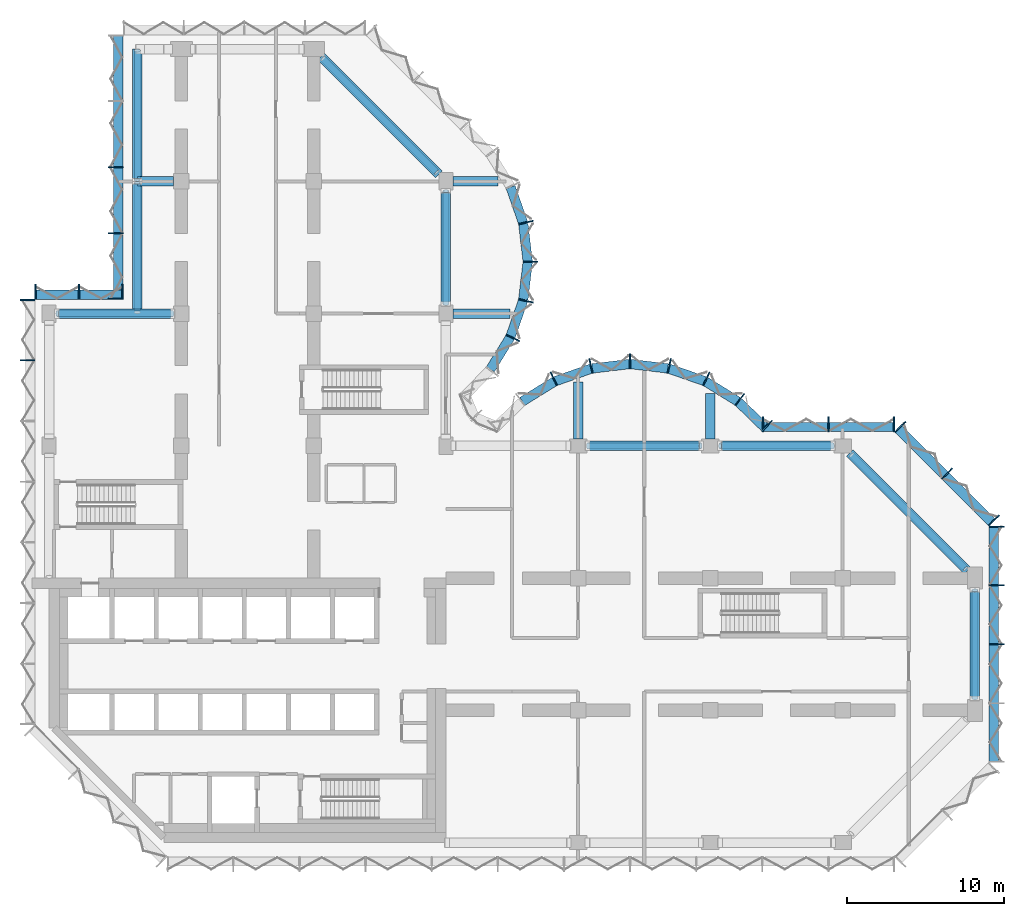
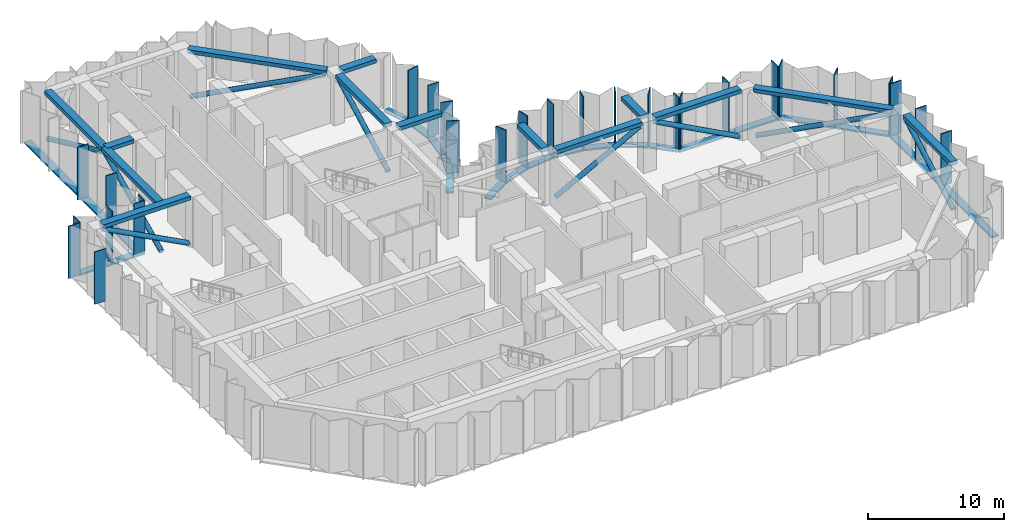
# One storey, part 2 of 13: 54 members, 14 beams, 8 elements without a shape of their own.
"""IFC4 building model written with IfcOpenShell, lengths in metres."""

from ifc_helpers import new_model, si_unit, direction, frame, origin, origin_2d, place, context, subcontext, project, spatial, rectangle, hollow_circle, extrude, material, material_profile, profile_set, type_object, element, aggregate, save


model = new_model("IFC4")

# Units and contexts
model_context = context("Model", 3, precision=1e-05, world=origin(), true_north=direction((0.0, 1.0)))
body_context = subcontext(model_context, "Body", "Model", "MODEL_VIEW")
ifc_project = project(units=[si_unit("LENGTHUNIT", "METRE"), si_unit("AREAUNIT", "SQUARE_METRE"), si_unit("VOLUMEUNIT", "CUBIC_METRE"), si_unit("PLANEANGLEUNIT", "RADIAN"), si_unit("MASSUNIT", "GRAM", prefix="KILO")], contexts=[model_context])

# Site, building, storey
site_placement = place(None, origin())
site = spatial("IfcSite", under=ifc_project, at=site_placement, CompositionType="ELEMENT")
building_placement = place(site_placement, origin())
building = spatial("IfcBuilding", under=site, at=building_placement, Name="Brevane Broadcast Tower", CompositionType="ELEMENT")
storey_placement = place(building_placement, frame((0.0, 0.0, 162.0)))
storey = spatial("IfcBuildingStorey", under=building, at=storey_placement, Name="L40", CompositionType="ELEMENT", Elevation=162.0)

# Curtain wall, members
ifc_material_1 = material(Name="Aluminium 6063-T6 bronze anodised", Category="aluminium")
curtain_wall_type = type_object("IfcCurtainWallType", Name="CW-3 curtain wall", PredefinedType="NOTDEFINED", material=ifc_material_1)
curtain_wall_1_placement = place(storey_placement, origin())
curtain_wall_1 = element("IfcCurtainWall", 1, at=curtain_wall_1_placement, inside=storey, type_object=curtain_wall_type, Name="CW-3 refuge louvre unit L40 east end", PredefinedType="NOTDEFINED")
ifc_material_profile_1 = material_profile(ifc_material_1, rectangle(XDim=0.949951171875, YDim=0.080078125, at=origin_2d()), Name="RECT 80x950")
ifc_profile_set_1 = profile_set([ifc_material_profile_1], Name="Aluminium 6063-T6 bronze anodised")
member_type_1 = type_object("IfcMemberType", Name="CW-3 mullion 80x950", PredefinedType="MULLION", material=ifc_profile_set_1)
member_1_placement = place(storey_placement, frame((60.175048828125, 12.60009765625, -0.159912109375), z_axis=(0.0, 0.0, 1.0), x_axis=(-1.0, 0.0, 0.0)))
member_1 = element("IfcMember", 2, at=member_1_placement, type_object=member_type_1, Name="CW-3 mullion", PredefinedType="MULLION", context=body_context, shape_type="SweptSolid", body=[
    extrude(rectangle(XDim=0.949951171875, YDim=0.080078125, at=origin_2d()), origin(), (0.0, 0.0, 1.0), 4.7099609375),
])
member_2_placement = place(storey_placement, frame((60.175048828125, 16.35009765625, -0.159912109375), z_axis=(0.0, 0.0, 1.0), x_axis=(-1.0, 0.0, 0.0)))
member_2 = element("IfcMember", 3, at=member_2_placement, type_object=member_type_1, Name="CW-3 mullion", PredefinedType="MULLION", context=body_context, shape_type="SweptSolid", body=[
    extrude(rectangle(XDim=0.949951171875, YDim=0.080078125, at=origin_2d()), origin(), (0.0, 0.0, 1.0), 4.7099609375),
])
member_3_placement = place(storey_placement, frame((60.175048828125, 20.06005859375, -0.159912109375), z_axis=(0.0, 0.0, 1.0), x_axis=(-1.0, 0.0, 0.0)))
member_3 = element("IfcMember", 4, at=member_3_placement, type_object=member_type_1, Name="CW-3 mullion", PredefinedType="MULLION", context=body_context, shape_type="SweptSolid", body=[
    extrude(rectangle(XDim=0.949951171875, YDim=0.080078125, at=origin_2d()), origin(), (0.0, 0.0, 1.0), 4.7099609375),
])

curtain_wall_2_placement = place(storey_placement, origin())
curtain_wall_2 = element("IfcCurtainWall", 5, at=curtain_wall_2_placement, inside=storey, type_object=curtain_wall_type, Name="CW-3 refuge louvre unit L40 north-east chamfer", PredefinedType="NOTDEFINED")
member_4_placement = place(storey_placement, frame((60.007568359375, 20.464111328125, -0.159912109375), z_axis=(0.0, 0.0, 1.0), x_axis=(-0.707106781187, -0.707106781187, 0.0)))
member_4 = element("IfcMember", 6, at=member_4_placement, type_object=member_type_1, Name="CW-3 mullion", PredefinedType="MULLION", context=body_context, shape_type="SweptSolid", body=[
    extrude(rectangle(XDim=0.949951171875, YDim=0.080078125, at=origin_2d()), origin(), (0.0, 0.0, 1.0), 4.7099609375),
])
member_5_placement = place(storey_placement, frame((57.035888671875, 23.435791015625, -0.159912109375), z_axis=(0.0, 0.0, 1.0), x_axis=(-0.707106781187, -0.707106781187, 0.0)))
member_5 = element("IfcMember", 7, at=member_5_placement, type_object=member_type_1, Name="CW-3 mullion", PredefinedType="MULLION", context=body_context, shape_type="SweptSolid", body=[
    extrude(rectangle(XDim=0.949951171875, YDim=0.080078125, at=origin_2d()), origin(), (0.0, 0.0, 1.0), 4.7099609375),
])
member_6_placement = place(storey_placement, frame((54.064208984375, 26.407470703125, -0.159912109375), z_axis=(0.0, 0.0, 1.0), x_axis=(-0.707106781187, -0.707106781187, 0.0)))
member_6 = element("IfcMember", 8, at=member_6_placement, type_object=member_type_1, Name="CW-3 mullion", PredefinedType="MULLION", context=body_context, shape_type="SweptSolid", body=[
    extrude(rectangle(XDim=0.949951171875, YDim=0.080078125, at=origin_2d()), origin(), (0.0, 0.0, 1.0), 4.7099609375),
])

curtain_wall_3_placement = place(storey_placement, origin())
curtain_wall_3 = element("IfcCurtainWall", 9, at=curtain_wall_3_placement, inside=storey, type_object=curtain_wall_type, Name="CW-3 refuge louvre unit L40 east arm north face", PredefinedType="NOTDEFINED")
member_7_placement = place(storey_placement, frame((53.659912109375, 26.574951171875, -0.159912109375), z_axis=(0.0, 0.0, 1.0), x_axis=(0.0, -1.0, 0.0)))
member_7 = element("IfcMember", 10, at=member_7_placement, type_object=member_type_1, Name="CW-3 mullion", PredefinedType="MULLION", context=body_context, shape_type="SweptSolid", body=[
    extrude(rectangle(XDim=0.949951171875, YDim=0.080078125, at=origin_2d()), origin(), (0.0, 0.0, 1.0), 4.7099609375),
])
member_8_placement = place(storey_placement, frame((49.5, 26.574951171875, -0.159912109375), z_axis=(0.0, 0.0, 1.0), x_axis=(0.0, -1.0, 0.0)))
member_8 = element("IfcMember", 11, at=member_8_placement, type_object=member_type_1, Name="CW-3 mullion", PredefinedType="MULLION", context=body_context, shape_type="SweptSolid", body=[
    extrude(rectangle(XDim=0.949951171875, YDim=0.080078125, at=origin_2d()), origin(), (0.0, 0.0, 1.0), 4.7099609375),
])
member_9_placement = place(storey_placement, frame((45.340087890625, 26.574951171875, -0.159912109375), z_axis=(0.0, 0.0, 1.0), x_axis=(0.0, -1.0, 0.0)))
member_9 = element("IfcMember", 12, at=member_9_placement, type_object=member_type_1, Name="CW-3 mullion", PredefinedType="MULLION", context=body_context, shape_type="SweptSolid", body=[
    extrude(rectangle(XDim=0.949951171875, YDim=0.080078125, at=origin_2d()), origin(), (0.0, 0.0, 1.0), 4.7099609375),
])

curtain_wall_4_placement = place(storey_placement, origin())
curtain_wall_4 = element("IfcCurtainWall", 13, at=curtain_wall_4_placement, inside=storey, type_object=curtain_wall_type, Name="CW-3 refuge louvre unit L40 east bow", PredefinedType="NOTDEFINED")
member_10_placement = place(storey_placement, frame((45.602294921875, 26.468505859375, -0.159912109375), z_axis=(0.0, 0.0, 1.0), x_axis=(-0.696812089895, -0.717253728729, 0.0)))
member_10 = element("IfcMember", 14, at=member_10_placement, type_object=member_type_1, Name="CW-3 mullion", PredefinedType="MULLION", context=body_context, shape_type="SweptSolid", body=[
    extrude(rectangle(XDim=0.949951171875, YDim=0.080078125, at=origin_2d()), origin(), (0.0, 0.0, 1.0), 4.7099609375),
])
member_11_placement = place(storey_placement, frame((43.8720703125, 28.1455078125, -0.159912109375), z_axis=(0.0, 0.0, 1.0), x_axis=(-0.614769698862, -0.788706673841, 0.0)))
member_11 = element("IfcMember", 15, at=member_11_placement, type_object=member_type_1, Name="CW-3 mullion", PredefinedType="MULLION", context=body_context, shape_type="SweptSolid", body=[
    extrude(rectangle(XDim=0.949951171875, YDim=0.080078125, at=origin_2d()), origin(), (0.0, 0.0, 1.0), 4.7099609375),
])
member_12_placement = place(storey_placement, frame((41.746826171875, 29.4580078125, -0.159912109375), z_axis=(0.0, 0.0, 1.0), x_axis=(-0.429933580394, -0.902860518823, 0.0)))
member_12 = element("IfcMember", 16, at=member_12_placement, type_object=member_type_1, Name="CW-3 mullion", PredefinedType="MULLION", context=body_context, shape_type="SweptSolid", body=[
    extrude(rectangle(XDim=0.949951171875, YDim=0.080078125, at=origin_2d()), origin(), (0.0, 0.0, 1.0), 4.7099609375),
])
member_13_placement = place(storey_placement, frame((39.38818359375, 30.28076171875, -0.159912109375), z_axis=(0.0, 0.0, 1.0), x_axis=(-0.224806535479, -0.974403418306, 0.0)))
member_13 = element("IfcMember", 17, at=member_13_placement, type_object=member_type_1, Name="CW-3 mullion", PredefinedType="MULLION", context=body_context, shape_type="SweptSolid", body=[
    extrude(rectangle(XDim=0.949951171875, YDim=0.080078125, at=origin_2d()), origin(), (0.0, 0.0, 1.0), 4.7099609375),
])
member_14_placement = place(storey_placement, frame((36.89990234375, 30.574951171875, -0.159912109375), z_axis=(0.0, 0.0, 1.0), x_axis=(0.0, -1.0, 0.0)))
member_14 = element("IfcMember", 18, at=member_14_placement, type_object=member_type_1, Name="CW-3 mullion", PredefinedType="MULLION", context=body_context, shape_type="SweptSolid", body=[
    extrude(rectangle(XDim=0.949951171875, YDim=0.080078125, at=origin_2d()), origin(), (0.0, 0.0, 1.0), 4.7099609375),
])
member_15_placement = place(storey_placement, frame((34.411865234375, 30.28076171875, -0.159912109375), z_axis=(0.0, 0.0, 1.0), x_axis=(0.224806535479, -0.974403418306, 0.0)))
member_15 = element("IfcMember", 19, at=member_15_placement, type_object=member_type_1, Name="CW-3 mullion", PredefinedType="MULLION", context=body_context, shape_type="SweptSolid", body=[
    extrude(rectangle(XDim=0.949951171875, YDim=0.080078125, at=origin_2d()), origin(), (0.0, 0.0, 1.0), 4.7099609375),
])
member_16_placement = place(storey_placement, frame((32.05322265625, 29.4580078125, -0.159912109375), z_axis=(0.0, 0.0, 1.0), x_axis=(0.429933580394, -0.902860518823, 0.0)))
member_16 = element("IfcMember", 20, at=member_16_placement, type_object=member_type_1, Name="CW-3 mullion", PredefinedType="MULLION", context=body_context, shape_type="SweptSolid", body=[
    extrude(rectangle(XDim=0.949951171875, YDim=0.080078125, at=origin_2d()), origin(), (0.0, 0.0, 1.0), 4.7099609375),
])

curtain_wall_5_placement = place(storey_placement, origin())
curtain_wall_5 = element("IfcCurtainWall", 21, at=curtain_wall_5_placement, inside=storey, type_object=curtain_wall_type, Name="CW-3 refuge louvre unit L40 north bow", PredefinedType="NOTDEFINED")
member_17_placement = place(storey_placement, frame((29.4580078125, 32.05322265625, -0.159912109375), z_axis=(0.0, 0.0, 1.0), x_axis=(-0.902860518823, 0.429933580394, 0.0)))
member_17 = element("IfcMember", 22, at=member_17_placement, type_object=member_type_1, Name="CW-3 mullion", PredefinedType="MULLION", context=body_context, shape_type="SweptSolid", body=[
    extrude(rectangle(XDim=0.949951171875, YDim=0.080078125, at=origin_2d()), origin(), (0.0, 0.0, 1.0), 4.7099609375),
])
member_18_placement = place(storey_placement, frame((30.28076171875, 34.411865234375, -0.159912109375), z_axis=(0.0, 0.0, 1.0), x_axis=(-0.974403418306, 0.224806535479, 0.0)))
member_18 = element("IfcMember", 23, at=member_18_placement, type_object=member_type_1, Name="CW-3 mullion", PredefinedType="MULLION", context=body_context, shape_type="SweptSolid", body=[
    extrude(rectangle(XDim=0.949951171875, YDim=0.080078125, at=origin_2d()), origin(), (0.0, 0.0, 1.0), 4.7099609375),
])
member_19_placement = place(storey_placement, frame((30.574951171875, 36.89990234375, -0.159912109375), z_axis=(0.0, 0.0, 1.0), x_axis=(-1.0, 0.0, 0.0)))
member_19 = element("IfcMember", 24, at=member_19_placement, type_object=member_type_1, Name="CW-3 mullion", PredefinedType="MULLION", context=body_context, shape_type="SweptSolid", body=[
    extrude(rectangle(XDim=0.949951171875, YDim=0.080078125, at=origin_2d()), origin(), (0.0, 0.0, 1.0), 4.7099609375),
])
member_20_placement = place(storey_placement, frame((30.28076171875, 39.38818359375, -0.159912109375), z_axis=(0.0, 0.0, 1.0), x_axis=(-0.974403418306, -0.224806535479, 0.0)))
member_20 = element("IfcMember", 25, at=member_20_placement, type_object=member_type_1, Name="CW-3 mullion", PredefinedType="MULLION", context=body_context, shape_type="SweptSolid", body=[
    extrude(rectangle(XDim=0.949951171875, YDim=0.080078125, at=origin_2d()), origin(), (0.0, 0.0, 1.0), 4.7099609375),
])

curtain_wall_6_placement = place(storey_placement, origin())
curtain_wall_6 = element("IfcCurtainWall", 26, at=curtain_wall_6_placement, inside=storey, type_object=curtain_wall_type, Name="CW-3 refuge louvre unit L40 north wing west face, lower block", PredefinedType="NOTDEFINED")
member_21_placement = place(storey_placement, frame((4.22509765625, 42.89990234375, -0.159912109375), z_axis=(0.0, 0.0, 1.0), x_axis=(1.0, 0.0, 0.0)))
member_21 = element("IfcMember", 27, at=member_21_placement, type_object=member_type_1, Name="CW-3 mullion", PredefinedType="MULLION", context=body_context, shape_type="SweptSolid", body=[
    extrude(rectangle(XDim=0.949951171875, YDim=0.080078125, at=origin_2d()), origin(), (0.0, 0.0, 1.0), 4.7099609375),
])
member_22_placement = place(storey_placement, frame((4.22509765625, 38.699951171875, -0.159912109375), z_axis=(0.0, 0.0, 1.0), x_axis=(1.0, 0.0, 0.0)))
member_22 = element("IfcMember", 28, at=member_22_placement, type_object=member_type_1, Name="CW-3 mullion", PredefinedType="MULLION", context=body_context, shape_type="SweptSolid", body=[
    extrude(rectangle(XDim=0.949951171875, YDim=0.080078125, at=origin_2d()), origin(), (0.0, 0.0, 1.0), 4.7099609375),
])
member_23_placement = place(storey_placement, frame((4.22509765625, 34.5400390625, -0.159912109375), z_axis=(0.0, 0.0, 1.0), x_axis=(1.0, 0.0, 0.0)))
member_23 = element("IfcMember", 29, at=member_23_placement, type_object=member_type_1, Name="CW-3 mullion", PredefinedType="MULLION", context=body_context, shape_type="SweptSolid", body=[
    extrude(rectangle(XDim=0.949951171875, YDim=0.080078125, at=origin_2d()), origin(), (0.0, 0.0, 1.0), 4.7099609375),
])

curtain_wall_7_placement = place(storey_placement, origin())
curtain_wall_7 = element("IfcCurtainWall", 30, at=curtain_wall_7_placement, inside=storey, type_object=curtain_wall_type, Name="CW-3 refuge louvre unit L40 north wing west return, lower block", PredefinedType="NOTDEFINED")
member_24_placement = place(storey_placement, frame((4.659912109375, 34.97509765625, -0.159912109375), z_axis=(0.0, 0.0, 1.0), x_axis=(0.0, -1.0, 0.0)))
member_24 = element("IfcMember", 31, at=member_24_placement, type_object=member_type_1, Name="CW-3 mullion", PredefinedType="MULLION", context=body_context, shape_type="SweptSolid", body=[
    extrude(rectangle(XDim=0.949951171875, YDim=0.080078125, at=origin_2d()), origin(), (0.0, 0.0, 1.0), 4.7099609375),
])
member_25_placement = place(storey_placement, frame((1.89990234375, 34.97509765625, -0.159912109375), z_axis=(0.0, 0.0, 1.0), x_axis=(0.0, -1.0, 0.0)))
member_25 = element("IfcMember", 32, at=member_25_placement, type_object=member_type_1, Name="CW-3 mullion", PredefinedType="MULLION", context=body_context, shape_type="SweptSolid", body=[
    extrude(rectangle(XDim=0.949951171875, YDim=0.080078125, at=origin_2d()), origin(), (0.0, 0.0, 1.0), 4.7099609375),
])
member_26_placement = place(storey_placement, frame((-0.860107421875, 34.97509765625, -0.159912109375), z_axis=(0.0, 0.0, 1.0), x_axis=(0.0, -1.0, 0.0)))
member_26 = element("IfcMember", 33, at=member_26_placement, type_object=member_type_1, Name="CW-3 mullion", PredefinedType="MULLION", context=body_context, shape_type="SweptSolid", body=[
    extrude(rectangle(XDim=0.949951171875, YDim=0.080078125, at=origin_2d()), origin(), (0.0, 0.0, 1.0), 4.7099609375),
])

curtain_wall_8_placement = place(storey_placement, origin())
curtain_wall_8 = element("IfcCurtainWall", 34, at=curtain_wall_8_placement, inside=storey, type_object=curtain_wall_type, Name="CW-3 refuge louvre unit L40 west face", PredefinedType="NOTDEFINED")
member_27_placement = place(storey_placement, frame((-1.375, 34.4599609375, -0.159912109375), z_axis=(0.0, 0.0, 1.0), x_axis=(1.0, 0.0, 0.0)))
member_27 = element("IfcMember", 35, at=member_27_placement, type_object=member_type_1, Name="CW-3 mullion", PredefinedType="MULLION", context=body_context, shape_type="SweptSolid", body=[
    extrude(rectangle(XDim=0.949951171875, YDim=0.080078125, at=origin_2d()), origin(), (0.0, 0.0, 1.0), 4.7099609375),
])
member_28_placement = place(storey_placement, frame((-1.375, 30.642822265625, -0.159912109375), z_axis=(0.0, 0.0, 1.0), x_axis=(1.0, 0.0, 0.0)))
member_28 = element("IfcMember", 36, at=member_28_placement, type_object=member_type_1, Name="CW-3 mullion", PredefinedType="MULLION", context=body_context, shape_type="SweptSolid", body=[
    extrude(rectangle(XDim=0.949951171875, YDim=0.080078125, at=origin_2d()), origin(), (0.0, 0.0, 1.0), 4.7099609375),
])
aggregate(curtain_wall_8, [member_27, member_28])

# Member
ifc_material_profile_2 = material_profile(ifc_material_1, rectangle(XDim=0.60009765625, YDim=0.139892578125, at=origin_2d()), Name="RECT 140x600")
ifc_profile_set_2 = profile_set([ifc_material_profile_2], Name="Aluminium 6063-T6 bronze anodised")
member_type_2 = type_object("IfcMemberType", Name="CW-3 transom 140x600", PredefinedType="USERDEFINED", material=ifc_profile_set_2)
member_29_placement = place(storey_placement, frame((60.0, 5.10009765625, -0.22998046875), z_axis=(0.0, 1.0, 0.0), x_axis=(-1.0, 0.0, 0.0)))
member_29 = element("IfcMember", 37, at=member_29_placement, type_object=member_type_2, Name="CW-3 transom", ObjectType="TRANSOM", PredefinedType="USERDEFINED", context=body_context, shape_type="SweptSolid", body=[
    extrude(rectangle(XDim=0.60009765625, YDim=0.139892578125, at=origin_2d()), origin(), (0.0, 0.0, 1.0), 15.0),
])

aggregate(curtain_wall_1, [member_1, member_2, member_3, member_29])

member_30_placement = place(storey_placement, frame((59.912109375, 20.31201171875, -0.22998046875), z_axis=(-0.707106781187, 0.707106781187, 0.0), x_axis=(-0.707106781187, -0.707106781187, 0.0)))
member_30 = element("IfcMember", 38, at=member_30_placement, type_object=member_type_2, Name="CW-3 transom", ObjectType="TRANSOM", PredefinedType="USERDEFINED", context=body_context, shape_type="SweptSolid", body=[
    extrude(rectangle(XDim=0.60009765625, YDim=0.139892578125, at=origin_2d()), origin(), (0.0, 0.0, 1.0), 8.4853515625),
])

aggregate(curtain_wall_2, [member_4, member_5, member_6, member_30])

member_31_placement = place(storey_placement, frame((53.699951171875, 26.39990234375, -0.22998046875), z_axis=(-1.0, 0.0, 0.0), x_axis=(0.0, -1.0, 0.0)))
member_31 = element("IfcMember", 39, at=member_31_placement, type_object=member_type_2, Name="CW-3 transom", ObjectType="TRANSOM", PredefinedType="USERDEFINED", context=body_context, shape_type="SweptSolid", body=[
    extrude(rectangle(XDim=0.60009765625, YDim=0.139892578125, at=origin_2d()), origin(), (0.0, 0.0, 1.0), 8.39990234375),
])

aggregate(curtain_wall_3, [member_7, member_8, member_9, member_31])

member_32_placement = place(storey_placement, frame((45.412841796875, 26.407958984375, -0.22998046875), z_axis=(-0.71724215871, 0.696823999134, 0.0), x_axis=(-0.696823999134, -0.71724215871, 0.0)))
member_32 = element("IfcMember", 40, at=member_32_placement, type_object=member_type_2, Name="CW-3 transom", ObjectType="TRANSOM", PredefinedType="USERDEFINED", context=body_context, shape_type="SweptSolid", body=[
    extrude(rectangle(XDim=0.60009765625, YDim=0.139892578125, at=origin_2d()), origin(), (0.0, 0.0, 1.0), 2.247802734375),
])

member_33_placement = place(storey_placement, frame((43.7421875, 28.023193359375, -0.22998046875), z_axis=(-0.850810063131, 0.525473345162, 0.0), x_axis=(-0.525473345162, -0.850810063131, 0.0)))
member_33 = element("IfcMember", 41, at=member_33_placement, type_object=member_type_2, Name="CW-3 transom", ObjectType="TRANSOM", PredefinedType="USERDEFINED", context=body_context, shape_type="SweptSolid", body=[
    extrude(rectangle(XDim=0.60009765625, YDim=0.139892578125, at=origin_2d()), origin(), (0.0, 0.0, 1.0), 2.39453125),
])

member_34_placement = place(storey_placement, frame((41.63623046875, 29.314208984375, -0.22998046875), z_axis=(-0.944197969542, 0.329378497041, 0.0), x_axis=(-0.329378497041, -0.944197969542, 0.0)))
member_34 = element("IfcMember", 42, at=member_34_placement, type_object=member_type_2, Name="CW-3 transom", ObjectType="TRANSOM", PredefinedType="USERDEFINED", context=body_context, shape_type="SweptSolid", body=[
    extrude(rectangle(XDim=0.60009765625, YDim=0.139892578125, at=origin_2d()), origin(), (0.0, 0.0, 1.0), 2.394775390625),
])

member_35_placement = place(storey_placement, frame((39.30029296875, 30.117431640625, -0.22998046875), z_axis=(-0.993062061831, 0.117591417, 0.0), x_axis=(-0.117591417, -0.993062061831, 0.0)))
member_35 = element("IfcMember", 43, at=member_35_placement, type_object=member_type_2, Name="CW-3 transom", ObjectType="TRANSOM", PredefinedType="USERDEFINED", context=body_context, shape_type="SweptSolid", body=[
    extrude(rectangle(XDim=0.60009765625, YDim=0.139892578125, at=origin_2d()), origin(), (0.0, 0.0, 1.0), 2.39794921875),
])

member_36_placement = place(storey_placement, frame((36.880859375, 30.3994140625, -0.22998046875), z_axis=(-0.993060653805, -0.117603307202, 0.0), x_axis=(0.117603307202, -0.993060653805, 0.0)))
member_36 = element("IfcMember", 44, at=member_36_placement, type_object=member_type_2, Name="CW-3 transom", ObjectType="TRANSOM", PredefinedType="USERDEFINED", context=body_context, shape_type="SweptSolid", body=[
    extrude(rectangle(XDim=0.60009765625, YDim=0.139892578125, at=origin_2d()), origin(), (0.0, 0.0, 1.0), 2.397705078125),
])

member_37_placement = place(storey_placement, frame((34.425048828125, 30.10302734375, -0.22998046875), z_axis=(-0.944197969542, -0.329378497041, 0.0), x_axis=(0.329378497041, -0.944197969542, 0.0)))
member_37 = element("IfcMember", 45, at=member_37_placement, type_object=member_type_2, Name="CW-3 transom", ObjectType="TRANSOM", PredefinedType="USERDEFINED", context=body_context, shape_type="SweptSolid", body=[
    extrude(rectangle(XDim=0.60009765625, YDim=0.139892578125, at=origin_2d()), origin(), (0.0, 0.0, 1.0), 2.394775390625),
])

member_38_placement = place(storey_placement, frame((32.09521484375, 29.281494140625, -0.22998046875), z_axis=(-0.850838211365, -0.525427766759, 0.0), x_axis=(0.525427766759, -0.850838211365, 0.0)))
member_38 = element("IfcMember", 46, at=member_38_placement, type_object=member_type_2, Name="CW-3 transom", ObjectType="TRANSOM", PredefinedType="USERDEFINED", context=body_context, shape_type="SweptSolid", body=[
    extrude(rectangle(XDim=0.60009765625, YDim=0.139892578125, at=origin_2d()), origin(), (0.0, 0.0, 1.0), 2.394775390625),
])

aggregate(curtain_wall_4, [member_10, member_11, member_12, member_13, member_14, member_15, member_16, member_32, member_33, member_34, member_35, member_36, member_37, member_38])

member_39_placement = place(storey_placement, frame((28.023193359375, 30.0576171875, -0.22998046875), z_axis=(0.525427766759, 0.850838211365, 0.0), x_axis=(-0.850838211365, 0.525427766759, 0.0)))
member_39 = element("IfcMember", 47, at=member_39_placement, type_object=member_type_2, Name="CW-3 transom", ObjectType="TRANSOM", PredefinedType="USERDEFINED", context=body_context, shape_type="SweptSolid", body=[
    extrude(rectangle(XDim=0.60009765625, YDim=0.139892578125, at=origin_2d()), origin(), (0.0, 0.0, 1.0), 2.394775390625),
])

member_40_placement = place(storey_placement, frame((29.314208984375, 32.163818359375, -0.22998046875), z_axis=(0.329378497041, 0.944197969542, 0.0), x_axis=(-0.944197969542, 0.329378497041, 0.0)))
member_40 = element("IfcMember", 48, at=member_40_placement, type_object=member_type_2, Name="CW-3 transom", ObjectType="TRANSOM", PredefinedType="USERDEFINED", context=body_context, shape_type="SweptSolid", body=[
    extrude(rectangle(XDim=0.60009765625, YDim=0.139892578125, at=origin_2d()), origin(), (0.0, 0.0, 1.0), 2.394775390625),
])

member_41_placement = place(storey_placement, frame((30.117431640625, 34.499755859375, -0.22998046875), z_axis=(0.117603307202, 0.993060653805, 0.0), x_axis=(-0.993060653805, 0.117603307202, 0.0)))
member_41 = element("IfcMember", 49, at=member_41_placement, type_object=member_type_2, Name="CW-3 transom", ObjectType="TRANSOM", PredefinedType="USERDEFINED", context=body_context, shape_type="SweptSolid", body=[
    extrude(rectangle(XDim=0.60009765625, YDim=0.139892578125, at=origin_2d()), origin(), (0.0, 0.0, 1.0), 2.397705078125),
])

member_42_placement = place(storey_placement, frame((30.3994140625, 36.9189453125, -0.22998046875), z_axis=(-0.117591417, 0.993062061831, 0.0), x_axis=(-0.993062061831, -0.117591417, 0.0)))
member_42 = element("IfcMember", 50, at=member_42_placement, type_object=member_type_2, Name="CW-3 transom", ObjectType="TRANSOM", PredefinedType="USERDEFINED", context=body_context, shape_type="SweptSolid", body=[
    extrude(rectangle(XDim=0.60009765625, YDim=0.139892578125, at=origin_2d()), origin(), (0.0, 0.0, 1.0), 2.39794921875),
])

member_43_placement = place(storey_placement, frame((30.10302734375, 39.375, -0.22998046875), z_axis=(-0.329378497041, 0.944197969542, 0.0), x_axis=(-0.944197969542, -0.329378497041, 0.0)))
member_43 = element("IfcMember", 51, at=member_43_placement, type_object=member_type_2, Name="CW-3 transom", ObjectType="TRANSOM", PredefinedType="USERDEFINED", context=body_context, shape_type="SweptSolid", body=[
    extrude(rectangle(XDim=0.60009765625, YDim=0.139892578125, at=origin_2d()), origin(), (0.0, 0.0, 1.0), 2.394775390625),
])

aggregate(curtain_wall_5, [member_17, member_18, member_19, member_20, member_39, member_40, member_41, member_42, member_43])

member_44_placement = place(storey_placement, frame((4.39990234375, 51.300048828125, -0.22998046875), z_axis=(0.0, -1.0, 0.0), x_axis=(1.0, 0.0, 0.0)))
member_44 = element("IfcMember", 52, at=member_44_placement, type_object=member_type_2, Name="CW-3 transom", ObjectType="TRANSOM", PredefinedType="USERDEFINED", context=body_context, shape_type="SweptSolid", body=[
    extrude(rectangle(XDim=0.60009765625, YDim=0.139892578125, at=origin_2d()), origin(), (0.0, 0.0, 1.0), 16.800048828125),
])

aggregate(curtain_wall_6, [member_21, member_22, member_23, member_44])

member_45_placement = place(storey_placement, frame((4.699951171875, 34.800048828125, -0.22998046875), z_axis=(-1.0, 0.0, 0.0), x_axis=(0.0, -1.0, 0.0)))
member_45 = element("IfcMember", 53, at=member_45_placement, type_object=member_type_2, Name="CW-3 transom", ObjectType="TRANSOM", PredefinedType="USERDEFINED", context=body_context, shape_type="SweptSolid", body=[
    extrude(rectangle(XDim=0.60009765625, YDim=0.139892578125, at=origin_2d()), origin(), (0.0, 0.0, 1.0), 5.599853515625),
])

aggregate(curtain_wall_7, [member_24, member_25, member_26, member_45])

# Beams
ifc_material_2 = material(Name="Concrete C40/50", Category="concrete")
ifc_material_profile_3 = material_profile(ifc_material_2, rectangle(XDim=0.60009765625, YDim=0.35009765625, at=origin_2d()), Name="RC 600x350")
ifc_profile_set_3 = profile_set([ifc_material_profile_3], Name="Concrete C40/50")
beam_type_1 = type_object("IfcBeamType", Name="RC BRACKET BEAM 600x350 C40/50", PredefinedType="BEAM", material=ifc_profile_set_3)
beam_1_placement = place(storey_placement, frame((25.64990234375, 33.60009765625, 4.375), z_axis=(1.0, 0.0, 0.0), x_axis=(0.0, 1.0, 0.0)))
element("IfcBeam", 54, at=beam_1_placement, inside=storey, type_object=beam_type_1, Name="EB2 L40-1", PredefinedType="BEAM", context=body_context, shape_type="SweptSolid", body=[
    extrude(rectangle(XDim=0.60009765625, YDim=0.35009765625, at=origin_2d()), origin(), (0.0, 0.0, 1.0), 3.612060546875),
])
beam_2_placement = place(storey_placement, frame((25.64990234375, 42.0, 4.375), z_axis=(1.0, 0.0, 0.0), x_axis=(0.0, 1.0, 0.0)))
element("IfcBeam", 55, at=beam_2_placement, inside=storey, type_object=beam_type_1, Name="EB2 L40-2", PredefinedType="BEAM", context=body_context, shape_type="SweptSolid", body=[
    extrude(rectangle(XDim=0.60009765625, YDim=0.35009765625, at=origin_2d()), origin(), (0.0, 0.0, 1.0), 2.861572265625),
])
beam_3_placement = place(storey_placement, frame((33.60009765625, 25.64990234375, 4.375), z_axis=(0.0, 1.0, 0.0), x_axis=(-1.0, 0.0, 0.0)))
element("IfcBeam", 56, at=beam_3_placement, inside=storey, type_object=beam_type_1, Name="EB2 L40-3", PredefinedType="BEAM", context=body_context, shape_type="SweptSolid", body=[
    extrude(rectangle(XDim=0.60009765625, YDim=0.35009765625, at=origin_2d()), origin(), (0.0, 0.0, 1.0), 3.612060546875),
])
beam_4_placement = place(storey_placement, frame((42.0, 25.64990234375, 4.375), z_axis=(0.0, 1.0, 0.0), x_axis=(-1.0, 0.0, 0.0)))
element("IfcBeam", 57, at=beam_4_placement, inside=storey, type_object=beam_type_1, Name="EB2 L40-4", PredefinedType="BEAM", context=body_context, shape_type="SweptSolid", body=[
    extrude(rectangle(XDim=0.60009765625, YDim=0.35009765625, at=origin_2d()), origin(), (0.0, 0.0, 1.0), 2.861572265625),
])
beam_5_placement = place(storey_placement, frame((7.89990234375, 42.0, 4.375), z_axis=(-1.0, 0.0, 0.0), x_axis=(0.0, -1.0, 0.0)))
element("IfcBeam", 58, at=beam_5_placement, inside=storey, type_object=beam_type_1, Name="EB2 L40-5", PredefinedType="BEAM", context=body_context, shape_type="SweptSolid", body=[
    extrude(rectangle(XDim=0.60009765625, YDim=0.35009765625, at=origin_2d()), origin(), (0.0, 0.0, 1.0), 2.2998046875),
])
ifc_material_profile_4 = material_profile(ifc_material_2, rectangle(XDim=0.60009765625, YDim=0.35009765625, at=origin_2d()), Name="RC 600x350")
ifc_profile_set_4 = profile_set([ifc_material_profile_4], Name="Concrete C40/50")
beam_type_2 = type_object("IfcBeamType", Name="RC SPANDREL BEAM 600x350 C40/50", PredefinedType="SPANDREL", material=ifc_profile_set_4)
beam_6_placement = place(storey_placement, frame((58.800048828125, 9.10009765625, 4.375), z_axis=(0.0, 1.0, 0.0), x_axis=(-1.0, 0.0, 0.0)))
element("IfcBeam", 59, at=beam_6_placement, inside=storey, type_object=beam_type_2, Name="EB1 L40-5", PredefinedType="SPANDREL", context=body_context, shape_type="SweptSolid", body=[
    extrude(rectangle(XDim=0.60009765625, YDim=0.35009765625, at=origin_2d()), origin(), (0.0, 0.0, 1.0), 7.0),
])
beam_7_placement = place(storey_placement, frame((58.324951171875, 17.27490234375, 4.375), z_axis=(-0.707095233664, 0.707118328521, 0.0), x_axis=(-0.707118328521, -0.707095233664, 0.0)))
element("IfcBeam", 60, at=beam_7_placement, inside=storey, type_object=beam_type_2, Name="EB1 L40-6", PredefinedType="SPANDREL", context=body_context, shape_type="SweptSolid", body=[
    extrude(rectangle(XDim=0.60009765625, YDim=0.35009765625, at=origin_2d()), origin(), (0.0, 0.0, 1.0), 10.5712890625),
])
for number, where, z_axis, x_axis, name in (
    (61, (49.85009765625, 25.199951171875, 4.375), (-1.0, 0.0, 0.0), (0.0, -1.0, 0.0), "EB1 L40-7"),
    (62, (41.449951171875, 25.199951171875, 4.375), (-1.0, 0.0, 0.0), (0.0, -1.0, 0.0), "EB1 L40-8"),
    (63, (25.199951171875, 34.14990234375, 4.375), (0.0, 1.0, 0.0), (-1.0, 0.0, 0.0), "EB1 L40-11"),
):
    element("IfcBeam", number, at=place(storey_placement, frame(where, z_axis=z_axis, x_axis=x_axis)), inside=storey, type_object=beam_type_2, Name=name, PredefinedType="SPANDREL", context=body_context, shape_type="SweptSolid", body=[
        extrude(rectangle(XDim=0.60009765625, YDim=0.35009765625, at=origin_2d()), origin(), (0.0, 0.0, 1.0), 7.300048828125),
    ])
beam_8_placement = place(storey_placement, frame((24.75, 42.449951171875, 4.375), z_axis=(-0.707106781187, 0.707106781187, 0.0), x_axis=(-0.707106781187, -0.707106781187, 0.0)))
element("IfcBeam", 64, at=beam_8_placement, inside=storey, type_object=beam_type_2, Name="EB1 L40-12", PredefinedType="SPANDREL", context=body_context, shape_type="SweptSolid", body=[
    extrude(rectangle(XDim=0.60009765625, YDim=0.35009765625, at=origin_2d()), origin(), (0.0, 0.0, 1.0), 10.5712890625),
])
beam_9_placement = place(storey_placement, frame((0.449951171875, 33.60009765625, 4.375), z_axis=(1.0, 0.0, 0.0), x_axis=(0.0, 1.0, 0.0)))
element("IfcBeam", 65, at=beam_9_placement, inside=storey, type_object=beam_type_2, Name="EB1 L40-16", PredefinedType="SPANDREL", context=body_context, shape_type="SweptSolid", body=[
    extrude(rectangle(XDim=0.60009765625, YDim=0.35009765625, at=origin_2d()), origin(), (0.0, 0.0, 1.0), 7.449951171875),
])
for number, where, z_axis, x_axis, name in (
    (66, (5.60009765625, 33.60009765625, 4.375), (0.0, 1.0, 0.0), (-1.0, 0.0, 0.0), "EB1 L40-17"),
    (67, (5.60009765625, 42.0, 4.375), (0.0, 1.0, 0.0), (-1.0, 0.0, 0.0), "EB1 L40-18"),
):
    element("IfcBeam", number, at=place(storey_placement, frame(where, z_axis=z_axis, x_axis=x_axis)), inside=storey, type_object=beam_type_2, Name=name, PredefinedType="SPANDREL", context=body_context, shape_type="SweptSolid", body=[
        extrude(rectangle(XDim=0.60009765625, YDim=0.35009765625, at=origin_2d()), origin(), (0.0, 0.0, 1.0), 8.39990234375),
    ])

# Members
ifc_material_3 = material(Name="Steel S355", Category="steel")
ifc_material_profile_5 = material_profile(ifc_material_3, hollow_circle(Radius=0.203125, WallThickness=0.01611328125, at=origin_2d()), Name="CHS 406.4x16")
ifc_profile_set_5 = profile_set([ifc_material_profile_5], Name="Steel S355")
member_type_3 = type_object("IfcMemberType", Name="STEEL BELT TRUSS BRACE CHS 406.4x16 S355", PredefinedType="BRACE", material=ifc_profile_set_5)
member_46_placement = place(storey_placement, frame((58.800048828125, 9.16943359375, 0.17724609375), z_axis=(0.0, 0.872337117464, 0.488904851166), x_axis=(-1.0, 0.0, 0.0)))
element("IfcMember", 68, at=member_46_placement, inside=storey, type_object=member_type_3, Name="BT2 L40-5", PredefinedType="BRACE", context=body_context, shape_type="SweptSolid", body=[
    extrude(hollow_circle(Radius=0.203125, WallThickness=0.01611328125, at=origin_2d()), origin(), (0.0, 0.0, 1.0), 7.865478515625),
])
member_47_placement = place(storey_placement, frame((50.976318359375, 24.62353515625, 0.1904296875), z_axis=(0.662327177408, -0.662304788631, 0.350250020734), x_axis=(0.707094829648, 0.707118732523, 0.0)))
element("IfcMember", 69, at=member_47_placement, inside=storey, type_object=member_type_3, Name="BT2 L40-6", PredefinedType="BRACE", context=body_context, shape_type="SweptSolid", body=[
    extrude(hollow_circle(Radius=0.203125, WallThickness=0.01611328125, at=origin_2d()), origin(), (0.0, 0.0, 1.0), 10.904541015625),
])
for number, where, z_axis, x_axis, name in (
    (70, (49.783935546875, 25.199951171875, 0.17919921875), (-0.881387126048, 0.0, 0.472394680364), (0.0, -1.0, 0.0), "BT2 L40-7"),
    (71, (34.216064453125, 25.199951171875, 0.17919921875), (0.881387126048, 0.0, 0.472394680364), (0.0, 1.0, 0.0), "BT2 L40-8"),
    (72, (25.199951171875, 34.216064453125, 0.17919921875), (0.0, 0.881387126048, 0.472394680364), (-1.0, 0.0, 0.0), "BT2 L40-11"),
):
    element("IfcMember", number, at=place(storey_placement, frame(where, z_axis=z_axis, x_axis=x_axis)), inside=storey, type_object=member_type_3, Name=name, PredefinedType="BRACE", context=body_context, shape_type="SweptSolid", body=[
        extrude(hollow_circle(Radius=0.203125, WallThickness=0.01611328125, at=origin_2d()), origin(), (0.0, 0.0, 1.0), 8.132568359375),
    ])
member_48_placement = place(storey_placement, frame((17.4013671875, 49.798583984375, 0.1904296875), z_axis=(0.662314609799, -0.662314609799, 0.350255214512), x_axis=(0.707106781187, 0.707106781187, 0.0)))
element("IfcMember", 73, at=member_48_placement, inside=storey, type_object=member_type_3, Name="BT2 L40-12", PredefinedType="BRACE", context=body_context, shape_type="SweptSolid", body=[
    extrude(hollow_circle(Radius=0.203125, WallThickness=0.01611328125, at=origin_2d()), origin(), (0.0, 0.0, 1.0), 10.904541015625),
])
member_49_placement = place(storey_placement, frame((7.835693359375, 33.60009765625, 0.179931640625), z_axis=(-0.88557649944, 0.0, 0.464493556079), x_axis=(0.0, -1.0, 0.0)))
element("IfcMember", 74, at=member_49_placement, inside=storey, type_object=member_type_3, Name="BT2 L40-16", PredefinedType="BRACE", context=body_context, shape_type="SweptSolid", body=[
    extrude(hollow_circle(Radius=0.203125, WallThickness=0.01611328125, at=origin_2d()), origin(), (0.0, 0.0, 1.0), 8.267333984375),
])
for number, where, z_axis, x_axis, name in (
    (75, (5.60009765625, 33.685791015625, 0.184326171875), (0.0, 0.9065387634, 0.422122577522), (-1.0, 0.0, 0.0), "BT2 L40-17"),
    (76, (5.60009765625, 50.314208984375, 0.184326171875), (0.0, -0.9065387634, 0.422122577522), (1.0, 0.0, 0.0), "BT2 L40-18"),
):
    element("IfcMember", number, at=place(storey_placement, frame(where, z_axis=z_axis, x_axis=x_axis)), inside=storey, type_object=member_type_3, Name=name, PredefinedType="BRACE", context=body_context, shape_type="SweptSolid", body=[
        extrude(hollow_circle(Radius=0.203125, WallThickness=0.01611328125, at=origin_2d()), origin(), (0.0, 0.0, 1.0), 9.076904296875),
    ])

save(model, "model.ifc")
